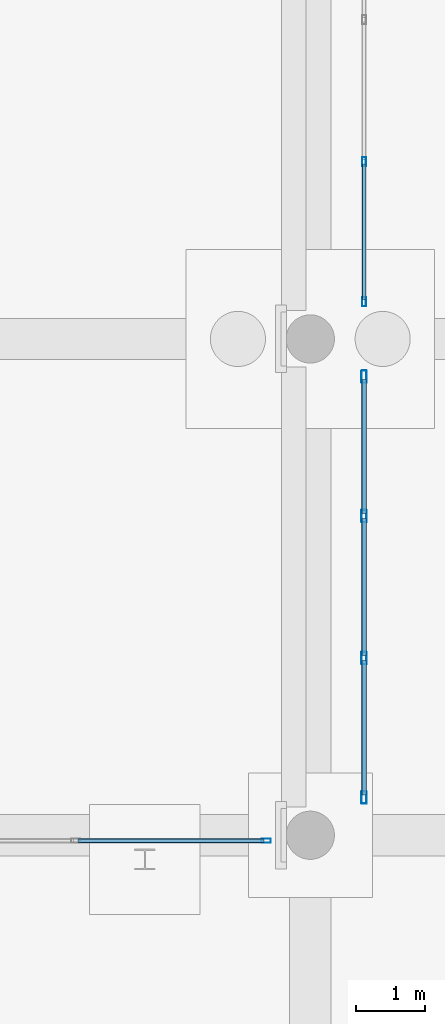
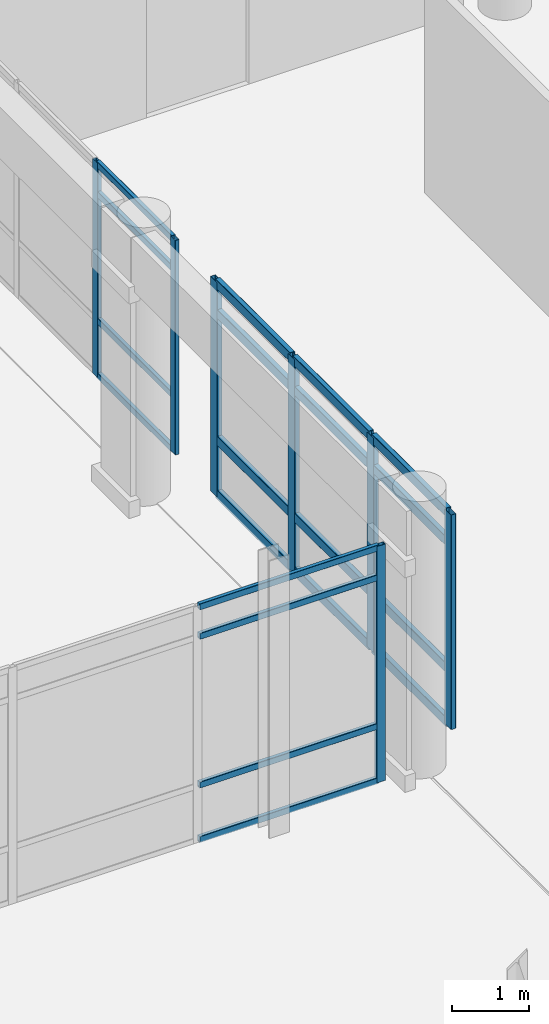
# One storey, part 110 of 196: 27 members, 3 elements without a shape of their own.
"""IFC4 building model written with IfcOpenShell, lengths in metres."""

from ifc_helpers import new_model, si_unit, direction, frame, origin, origin_2d, place, context, subcontext, project, spatial, hollow_rectangle, extrude, material, layer, layer_set, material_profile, profile_set, type_object, element, aggregate, save


model = new_model("IFC4")

# Units and contexts
model_context = context("Model", 3, precision=1e-05, world=origin(), true_north=direction((0.0, 1.0)))
body_context = subcontext(model_context, "Body", "Model", "MODEL_VIEW")
ifc_project = project(units=[si_unit("LENGTHUNIT", "METRE"), si_unit("AREAUNIT", "SQUARE_METRE"), si_unit("VOLUMEUNIT", "CUBIC_METRE"), si_unit("PLANEANGLEUNIT", "RADIAN"), si_unit("MASSUNIT", "GRAM", prefix="KILO")], contexts=[model_context])

# Site, building, storey
site_placement = place(None, origin())
site = spatial("IfcSite", under=ifc_project, at=site_placement, CompositionType="ELEMENT")
building_placement = place(site_placement, origin())
building = spatial("IfcBuilding", under=site, at=building_placement, Name="Asteropetra Specialist Clinic", CompositionType="ELEMENT")
storey_placement = place(building_placement, origin())
storey = spatial("IfcBuildingStorey", under=building, at=storey_placement, Name="L00", CompositionType="ELEMENT", Elevation=0.0)

# Curtain wall, member
ifc_material_1 = material(Name="Aluminium and low-E glass", Category="aluminium")
ifc_layer_1 = layer(ifc_material_1, 0.14990234375)
ifc_layer_set_1 = layer_set([ifc_layer_1], Name="Aluminium and low-E glass")
curtain_wall_type_1 = type_object("IfcCurtainWallType", Name="CW-SYS-02", PredefinedType="USERDEFINED", material=ifc_layer_set_1)
curtain_wall_1_placement = place(storey_placement, origin())
curtain_wall_1 = element("IfcCurtainWall", 1, at=curtain_wall_1_placement, inside=storey, type_object=curtain_wall_type_1, Name="Curtain Wall CW-110", ObjectType="UNITISED CURTAIN WALL", PredefinedType="USERDEFINED")
ifc_material_2 = material(Name="Aluminium 6063-T6", Category="aluminium")
ifc_material_profile_1 = material_profile(ifc_material_2, hollow_rectangle(XDim=0.06005859375, YDim=0.135009765625, WallThickness=0.00341796875, InnerFilletRadius=0.00341796875, OuterFilletRadius=0.007080078125, at=origin_2d()), Name="MUL 135x60x3.5")
ifc_profile_set_1 = profile_set([ifc_material_profile_1], Name="Aluminium 6063-T6")
member_type_1 = type_object("IfcMemberType", Name="CWM-135x60", PredefinedType="MULLION", material=ifc_profile_set_1)
member_1_placement = place(storey_placement, frame((85.760009765625, 83.919921875, 0.0), z_axis=(0.0, 0.0, 1.0), x_axis=(0.0, -1.0, 0.0)))
member_1 = element("IfcMember", 2, at=member_1_placement, type_object=member_type_1, Name="CW-110 mullion 1", PredefinedType="MULLION", context=body_context, shape_type="SweptSolid", body=[
    extrude(hollow_rectangle(XDim=0.06005859375, YDim=0.135009765625, WallThickness=0.00341796875, InnerFilletRadius=0.00341796875, OuterFilletRadius=0.007080078125, at=origin_2d()), origin(), (0.0, 0.0, 1.0), 3.77001953125),
])

# Curtain wall, members
ifc_material_3 = material(Name="Aluminium and low-E glass", Category="aluminium")
ifc_layer_2 = layer(ifc_material_3, 0.179931640625)
ifc_layer_set_2 = layer_set([ifc_layer_2], Name="Aluminium and low-E glass")
curtain_wall_type_2 = type_object("IfcCurtainWallType", Name="CW-SYS-01", PredefinedType="USERDEFINED", material=ifc_layer_set_2)
curtain_wall_2_placement = place(storey_placement, origin())
curtain_wall_2 = element("IfcCurtainWall", 3, at=curtain_wall_2_placement, inside=storey, type_object=curtain_wall_type_2, Name="Curtain Wall CW-215", ObjectType="UNITISED CURTAIN WALL", PredefinedType="USERDEFINED")
member_2_placement = place(storey_placement, frame((87.179931640625, 93.77001953125, 0.0), z_axis=(0.0, 0.0, 1.0), x_axis=(1.0, 0.0, 0.0)))
member_2 = element("IfcMember", 4, at=member_2_placement, type_object=member_type_1, Name="CW-215 mullion 3", PredefinedType="MULLION", context=body_context, shape_type="SweptSolid", body=[
    extrude(hollow_rectangle(XDim=0.06005859375, YDim=0.135009765625, WallThickness=0.00341796875, InnerFilletRadius=0.00341796875, OuterFilletRadius=0.007080078125, at=origin_2d()), origin(), (0.0, 0.0, 1.0), 3.419921875),
])
member_3_placement = place(storey_placement, frame((87.179931640625, 91.739990234375, 0.0), z_axis=(0.0, 0.0, 1.0), x_axis=(1.0, 0.0, 0.0)))
member_3 = element("IfcMember", 5, at=member_3_placement, type_object=member_type_1, Name="CW-215 mullion 4", PredefinedType="MULLION", context=body_context, shape_type="SweptSolid", body=[
    extrude(hollow_rectangle(XDim=0.06005859375, YDim=0.135009765625, WallThickness=0.00341796875, InnerFilletRadius=0.00341796875, OuterFilletRadius=0.007080078125, at=origin_2d()), origin(), (0.0, 0.0, 1.0), 3.419921875),
])

ifc_material_4 = material(Name="Aluminium and low-E glass", Category="aluminium")
ifc_layer_3 = layer(ifc_material_4, 0.179931640625)
ifc_layer_set_3 = layer_set([ifc_layer_3], Name="Aluminium and low-E glass")
curtain_wall_type_3 = type_object("IfcCurtainWallType", Name="CW-SYS-10", PredefinedType="USERDEFINED", material=ifc_layer_set_3)
curtain_wall_3_placement = place(storey_placement, origin())
curtain_wall_3 = element("IfcCurtainWall", 6, at=curtain_wall_3_placement, inside=storey, type_object=curtain_wall_type_3, Name="Curtain Wall CW-213", ObjectType="STICK GLAZED COLONNADE", PredefinedType="USERDEFINED")
ifc_material_5 = material(Name="Aluminium 6063-T6", Category="aluminium")
ifc_material_profile_2 = material_profile(ifc_material_5, hollow_rectangle(XDim=0.074951171875, YDim=0.179931640625, WallThickness=0.00390625, InnerFilletRadius=0.00390625, OuterFilletRadius=0.008056640625, at=origin_2d()), Name="MUL 180x75x4.0")
ifc_profile_set_2 = profile_set([ifc_material_profile_2], Name="Aluminium 6063-T6")
member_type_2 = type_object("IfcMemberType", Name="CWM-180x75", PredefinedType="MULLION", material=ifc_profile_set_2)
member_4_placement = place(storey_placement, frame((87.179931640625, 90.652587890625, 0.0), z_axis=(0.0, 0.0, 1.0), x_axis=(1.0, 0.0, 0.0)))
member_4 = element("IfcMember", 7, at=member_4_placement, type_object=member_type_2, Name="CW-213 mullion 1", PredefinedType="MULLION", context=body_context, shape_type="SweptSolid", body=[
    extrude(hollow_rectangle(XDim=0.074951171875, YDim=0.179931640625, WallThickness=0.00390625, InnerFilletRadius=0.00390625, OuterFilletRadius=0.008056640625, at=origin_2d()), origin(), (0.0, 0.0, 1.0), 3.419921875),
])
member_5_placement = place(storey_placement, frame((87.179931640625, 88.6298828125, 0.0), z_axis=(0.0, 0.0, 1.0), x_axis=(1.0, 0.0, 0.0)))
member_5 = element("IfcMember", 8, at=member_5_placement, type_object=member_type_2, Name="CW-213 mullion 2", PredefinedType="MULLION", context=body_context, shape_type="SweptSolid", body=[
    extrude(hollow_rectangle(XDim=0.074951171875, YDim=0.179931640625, WallThickness=0.00390625, InnerFilletRadius=0.00390625, OuterFilletRadius=0.008056640625, at=origin_2d()), origin(), (0.0, 0.0, 1.0), 3.419921875),
])
member_6_placement = place(storey_placement, frame((87.179931640625, 86.570068359375, 0.0), z_axis=(0.0, 0.0, 1.0), x_axis=(1.0, 0.0, 0.0)))
member_6 = element("IfcMember", 9, at=member_6_placement, type_object=member_type_2, Name="CW-213 mullion 3", PredefinedType="MULLION", context=body_context, shape_type="SweptSolid", body=[
    extrude(hollow_rectangle(XDim=0.074951171875, YDim=0.179931640625, WallThickness=0.00390625, InnerFilletRadius=0.00390625, OuterFilletRadius=0.008056640625, at=origin_2d()), origin(), (0.0, 0.0, 1.0), 3.419921875),
])
member_7_placement = place(storey_placement, frame((87.179931640625, 84.547607421875, 0.0), z_axis=(0.0, 0.0, 1.0), x_axis=(1.0, 0.0, 0.0)))
member_7 = element("IfcMember", 10, at=member_7_placement, type_object=member_type_2, Name="CW-213 mullion 4", PredefinedType="MULLION", context=body_context, shape_type="SweptSolid", body=[
    extrude(hollow_rectangle(XDim=0.074951171875, YDim=0.179931640625, WallThickness=0.00390625, InnerFilletRadius=0.00390625, OuterFilletRadius=0.008056640625, at=origin_2d()), origin(), (0.0, 0.0, 1.0), 3.419921875),
])

# Member
ifc_material_6 = material(Name="Aluminium 6063-T6", Category="aluminium")
ifc_material_profile_3 = material_profile(ifc_material_6, hollow_rectangle(XDim=0.06005859375, YDim=0.10009765625, WallThickness=0.00341796875, InnerFilletRadius=0.00341796875, OuterFilletRadius=0.007080078125, at=origin_2d()), Name="TRN 100x60x3.5")
ifc_profile_set_3 = profile_set([ifc_material_profile_3], Name="Aluminium 6063-T6")
member_type_3 = type_object("IfcMemberType", Name="CWT-100x60", PredefinedType="USERDEFINED", material=ifc_profile_set_3)
member_8_placement = place(storey_placement, frame((85.72998046875, 83.919921875, 0.030029296875), z_axis=(-1.0, 0.0, 0.0), x_axis=(0.0, -1.0, 0.0)))
member_8 = element("IfcMember", 11, at=member_8_placement, type_object=member_type_3, Name="CW-110 transom 1.1", ObjectType="TRANSOM", PredefinedType="USERDEFINED", context=body_context, shape_type="SweptSolid", body=[
    extrude(hollow_rectangle(XDim=0.06005859375, YDim=0.10009765625, WallThickness=0.00341796875, InnerFilletRadius=0.00341796875, OuterFilletRadius=0.007080078125, at=origin_2d()), origin(), (0.0, 0.0, 1.0), 2.703369140625),
])

member_9_placement = place(storey_placement, frame((85.72998046875, 83.919921875, 0.89990234375), z_axis=(-1.0, 0.0, 0.0), x_axis=(0.0, -1.0, 0.0)))
member_9 = element("IfcMember", 12, at=member_9_placement, type_object=member_type_3, Name="CW-110 transom 1.2", ObjectType="TRANSOM", PredefinedType="USERDEFINED", context=body_context, shape_type="SweptSolid", body=[
    extrude(hollow_rectangle(XDim=0.06005859375, YDim=0.10009765625, WallThickness=0.00341796875, InnerFilletRadius=0.00341796875, OuterFilletRadius=0.007080078125, at=origin_2d()), origin(), (0.0, 0.0, 1.0), 2.703369140625),
])

member_10_placement = place(storey_placement, frame((85.72998046875, 83.919921875, 3.27001953125), z_axis=(-1.0, 0.0, 0.0), x_axis=(0.0, -1.0, 0.0)))
member_10 = element("IfcMember", 13, at=member_10_placement, type_object=member_type_3, Name="CW-110 transom 1.3", ObjectType="TRANSOM", PredefinedType="USERDEFINED", context=body_context, shape_type="SweptSolid", body=[
    extrude(hollow_rectangle(XDim=0.06005859375, YDim=0.10009765625, WallThickness=0.00341796875, InnerFilletRadius=0.00341796875, OuterFilletRadius=0.007080078125, at=origin_2d()), origin(), (0.0, 0.0, 1.0), 2.703369140625),
])

member_11_placement = place(storey_placement, frame((85.72998046875, 83.919921875, 3.739990234375), z_axis=(-1.0, 0.0, 0.0), x_axis=(0.0, -1.0, 0.0)))
member_11 = element("IfcMember", 14, at=member_11_placement, type_object=member_type_3, Name="CW-110 transom 1.4", ObjectType="TRANSOM", PredefinedType="USERDEFINED", context=body_context, shape_type="SweptSolid", body=[
    extrude(hollow_rectangle(XDim=0.06005859375, YDim=0.10009765625, WallThickness=0.00341796875, InnerFilletRadius=0.00341796875, OuterFilletRadius=0.007080078125, at=origin_2d()), origin(), (0.0, 0.0, 1.0), 2.703369140625),
])

aggregate(curtain_wall_1, [member_1, member_8, member_9, member_10, member_11])

member_12_placement = place(storey_placement, frame((87.179931640625, 93.739990234375, 0.030029296875), z_axis=(0.0, -1.0, 0.0), x_axis=(1.0, 0.0, 0.0)))
member_12 = element("IfcMember", 15, at=member_12_placement, type_object=member_type_3, Name="CW-215 transom 3.1", ObjectType="TRANSOM", PredefinedType="USERDEFINED", context=body_context, shape_type="SweptSolid", body=[
    extrude(hollow_rectangle(XDim=0.06005859375, YDim=0.10009765625, WallThickness=0.00341796875, InnerFilletRadius=0.00341796875, OuterFilletRadius=0.007080078125, at=origin_2d()), origin(), (0.0, 0.0, 1.0), 1.969970703125),
])

member_13_placement = place(storey_placement, frame((87.179931640625, 93.739990234375, 0.89990234375), z_axis=(0.0, -1.0, 0.0), x_axis=(1.0, 0.0, 0.0)))
member_13 = element("IfcMember", 16, at=member_13_placement, type_object=member_type_3, Name="CW-215 transom 3.2", ObjectType="TRANSOM", PredefinedType="USERDEFINED", context=body_context, shape_type="SweptSolid", body=[
    extrude(hollow_rectangle(XDim=0.06005859375, YDim=0.10009765625, WallThickness=0.00341796875, InnerFilletRadius=0.00341796875, OuterFilletRadius=0.007080078125, at=origin_2d()), origin(), (0.0, 0.0, 1.0), 1.969970703125),
])

member_14_placement = place(storey_placement, frame((87.179931640625, 93.739990234375, 2.919921875), z_axis=(0.0, -1.0, 0.0), x_axis=(1.0, 0.0, 0.0)))
member_14 = element("IfcMember", 17, at=member_14_placement, type_object=member_type_3, Name="CW-215 transom 3.3", ObjectType="TRANSOM", PredefinedType="USERDEFINED", context=body_context, shape_type="SweptSolid", body=[
    extrude(hollow_rectangle(XDim=0.06005859375, YDim=0.10009765625, WallThickness=0.00341796875, InnerFilletRadius=0.00341796875, OuterFilletRadius=0.007080078125, at=origin_2d()), origin(), (0.0, 0.0, 1.0), 1.969970703125),
])

member_15_placement = place(storey_placement, frame((87.179931640625, 93.739990234375, 3.389892578125), z_axis=(0.0, -1.0, 0.0), x_axis=(1.0, 0.0, 0.0)))
member_15 = element("IfcMember", 18, at=member_15_placement, type_object=member_type_3, Name="CW-215 transom 3.4", ObjectType="TRANSOM", PredefinedType="USERDEFINED", context=body_context, shape_type="SweptSolid", body=[
    extrude(hollow_rectangle(XDim=0.06005859375, YDim=0.10009765625, WallThickness=0.00341796875, InnerFilletRadius=0.00341796875, OuterFilletRadius=0.007080078125, at=origin_2d()), origin(), (0.0, 0.0, 1.0), 1.969970703125),
])

aggregate(curtain_wall_2, [member_2, member_3, member_12, member_13, member_14, member_15])

ifc_material_7 = material(Name="Aluminium 6063-T6", Category="aluminium")
ifc_material_profile_4 = material_profile(ifc_material_7, hollow_rectangle(XDim=0.074951171875, YDim=0.14990234375, WallThickness=0.00390625, InnerFilletRadius=0.00390625, OuterFilletRadius=0.008056640625, at=origin_2d()), Name="TRN 150x75x4.0")
ifc_profile_set_4 = profile_set([ifc_material_profile_4], Name="Aluminium 6063-T6")
member_type_4 = type_object("IfcMemberType", Name="CWT-150x75", PredefinedType="USERDEFINED", material=ifc_profile_set_4)
member_16_placement = place(storey_placement, frame((87.179931640625, 90.614990234375, 0.03759765625), z_axis=(0.0, -1.0, 0.0), x_axis=(1.0, 0.0, 0.0)))
member_16 = element("IfcMember", 19, at=member_16_placement, type_object=member_type_4, Name="CW-213 transom 1.1", ObjectType="TRANSOM", PredefinedType="USERDEFINED", context=body_context, shape_type="SweptSolid", body=[
    extrude(hollow_rectangle(XDim=0.074951171875, YDim=0.14990234375, WallThickness=0.00390625, InnerFilletRadius=0.00390625, OuterFilletRadius=0.008056640625, at=origin_2d()), origin(), (0.0, 0.0, 1.0), 1.947509765625),
])

member_17_placement = place(storey_placement, frame((87.179931640625, 90.614990234375, 0.89990234375), z_axis=(0.0, -1.0, 0.0), x_axis=(1.0, 0.0, 0.0)))
member_17 = element("IfcMember", 20, at=member_17_placement, type_object=member_type_4, Name="CW-213 transom 1.2", ObjectType="TRANSOM", PredefinedType="USERDEFINED", context=body_context, shape_type="SweptSolid", body=[
    extrude(hollow_rectangle(XDim=0.074951171875, YDim=0.14990234375, WallThickness=0.00390625, InnerFilletRadius=0.00390625, OuterFilletRadius=0.008056640625, at=origin_2d()), origin(), (0.0, 0.0, 1.0), 1.947509765625),
])

member_18_placement = place(storey_placement, frame((87.179931640625, 90.614990234375, 2.919921875), z_axis=(0.0, -1.0, 0.0), x_axis=(1.0, 0.0, 0.0)))
member_18 = element("IfcMember", 21, at=member_18_placement, type_object=member_type_4, Name="CW-213 transom 1.3", ObjectType="TRANSOM", PredefinedType="USERDEFINED", context=body_context, shape_type="SweptSolid", body=[
    extrude(hollow_rectangle(XDim=0.074951171875, YDim=0.14990234375, WallThickness=0.00390625, InnerFilletRadius=0.00390625, OuterFilletRadius=0.008056640625, at=origin_2d()), origin(), (0.0, 0.0, 1.0), 1.947509765625),
])

member_19_placement = place(storey_placement, frame((87.179931640625, 90.614990234375, 3.382568359375), z_axis=(0.0, -1.0, 0.0), x_axis=(1.0, 0.0, 0.0)))
member_19 = element("IfcMember", 22, at=member_19_placement, type_object=member_type_4, Name="CW-213 transom 1.4", ObjectType="TRANSOM", PredefinedType="USERDEFINED", context=body_context, shape_type="SweptSolid", body=[
    extrude(hollow_rectangle(XDim=0.074951171875, YDim=0.14990234375, WallThickness=0.00390625, InnerFilletRadius=0.00390625, OuterFilletRadius=0.008056640625, at=origin_2d()), origin(), (0.0, 0.0, 1.0), 1.947509765625),
])

member_20_placement = place(storey_placement, frame((87.179931640625, 88.592529296875, 0.03759765625), z_axis=(0.0, -1.0, 0.0), x_axis=(1.0, 0.0, 0.0)))
member_20 = element("IfcMember", 23, at=member_20_placement, type_object=member_type_4, Name="CW-213 transom 2.1", ObjectType="TRANSOM", PredefinedType="USERDEFINED", context=body_context, shape_type="SweptSolid", body=[
    extrude(hollow_rectangle(XDim=0.074951171875, YDim=0.14990234375, WallThickness=0.00390625, InnerFilletRadius=0.00390625, OuterFilletRadius=0.008056640625, at=origin_2d()), origin(), (0.0, 0.0, 1.0), 1.985107421875),
])

member_21_placement = place(storey_placement, frame((87.179931640625, 88.592529296875, 0.89990234375), z_axis=(0.0, -1.0, 0.0), x_axis=(1.0, 0.0, 0.0)))
member_21 = element("IfcMember", 24, at=member_21_placement, type_object=member_type_4, Name="CW-213 transom 2.2", ObjectType="TRANSOM", PredefinedType="USERDEFINED", context=body_context, shape_type="SweptSolid", body=[
    extrude(hollow_rectangle(XDim=0.074951171875, YDim=0.14990234375, WallThickness=0.00390625, InnerFilletRadius=0.00390625, OuterFilletRadius=0.008056640625, at=origin_2d()), origin(), (0.0, 0.0, 1.0), 1.985107421875),
])

member_22_placement = place(storey_placement, frame((87.179931640625, 88.592529296875, 2.919921875), z_axis=(0.0, -1.0, 0.0), x_axis=(1.0, 0.0, 0.0)))
member_22 = element("IfcMember", 25, at=member_22_placement, type_object=member_type_4, Name="CW-213 transom 2.3", ObjectType="TRANSOM", PredefinedType="USERDEFINED", context=body_context, shape_type="SweptSolid", body=[
    extrude(hollow_rectangle(XDim=0.074951171875, YDim=0.14990234375, WallThickness=0.00390625, InnerFilletRadius=0.00390625, OuterFilletRadius=0.008056640625, at=origin_2d()), origin(), (0.0, 0.0, 1.0), 1.985107421875),
])

member_23_placement = place(storey_placement, frame((87.179931640625, 88.592529296875, 3.382568359375), z_axis=(0.0, -1.0, 0.0), x_axis=(1.0, 0.0, 0.0)))
member_23 = element("IfcMember", 26, at=member_23_placement, type_object=member_type_4, Name="CW-213 transom 2.4", ObjectType="TRANSOM", PredefinedType="USERDEFINED", context=body_context, shape_type="SweptSolid", body=[
    extrude(hollow_rectangle(XDim=0.074951171875, YDim=0.14990234375, WallThickness=0.00390625, InnerFilletRadius=0.00390625, OuterFilletRadius=0.008056640625, at=origin_2d()), origin(), (0.0, 0.0, 1.0), 1.985107421875),
])

member_24_placement = place(storey_placement, frame((87.179931640625, 86.532470703125, 0.03759765625), z_axis=(0.0, -1.0, 0.0), x_axis=(1.0, 0.0, 0.0)))
member_24 = element("IfcMember", 27, at=member_24_placement, type_object=member_type_4, Name="CW-213 transom 3.1", ObjectType="TRANSOM", PredefinedType="USERDEFINED", context=body_context, shape_type="SweptSolid", body=[
    extrude(hollow_rectangle(XDim=0.074951171875, YDim=0.14990234375, WallThickness=0.00390625, InnerFilletRadius=0.00390625, OuterFilletRadius=0.008056640625, at=origin_2d()), origin(), (0.0, 0.0, 1.0), 1.947509765625),
])

member_25_placement = place(storey_placement, frame((87.179931640625, 86.532470703125, 0.89990234375), z_axis=(0.0, -1.0, 0.0), x_axis=(1.0, 0.0, 0.0)))
member_25 = element("IfcMember", 28, at=member_25_placement, type_object=member_type_4, Name="CW-213 transom 3.2", ObjectType="TRANSOM", PredefinedType="USERDEFINED", context=body_context, shape_type="SweptSolid", body=[
    extrude(hollow_rectangle(XDim=0.074951171875, YDim=0.14990234375, WallThickness=0.00390625, InnerFilletRadius=0.00390625, OuterFilletRadius=0.008056640625, at=origin_2d()), origin(), (0.0, 0.0, 1.0), 1.947509765625),
])

member_26_placement = place(storey_placement, frame((87.179931640625, 86.532470703125, 2.919921875), z_axis=(0.0, -1.0, 0.0), x_axis=(1.0, 0.0, 0.0)))
member_26 = element("IfcMember", 29, at=member_26_placement, type_object=member_type_4, Name="CW-213 transom 3.3", ObjectType="TRANSOM", PredefinedType="USERDEFINED", context=body_context, shape_type="SweptSolid", body=[
    extrude(hollow_rectangle(XDim=0.074951171875, YDim=0.14990234375, WallThickness=0.00390625, InnerFilletRadius=0.00390625, OuterFilletRadius=0.008056640625, at=origin_2d()), origin(), (0.0, 0.0, 1.0), 1.947509765625),
])

member_27_placement = place(storey_placement, frame((87.179931640625, 86.532470703125, 3.382568359375), z_axis=(0.0, -1.0, 0.0), x_axis=(1.0, 0.0, 0.0)))
member_27 = element("IfcMember", 30, at=member_27_placement, type_object=member_type_4, Name="CW-213 transom 3.4", ObjectType="TRANSOM", PredefinedType="USERDEFINED", context=body_context, shape_type="SweptSolid", body=[
    extrude(hollow_rectangle(XDim=0.074951171875, YDim=0.14990234375, WallThickness=0.00390625, InnerFilletRadius=0.00390625, OuterFilletRadius=0.008056640625, at=origin_2d()), origin(), (0.0, 0.0, 1.0), 1.947509765625),
])

aggregate(curtain_wall_3, [member_4, member_5, member_6, member_7, member_16, member_17, member_18, member_19, member_20, member_21, member_22, member_23, member_24, member_25, member_26, member_27])

save(model, "model.ifc")
